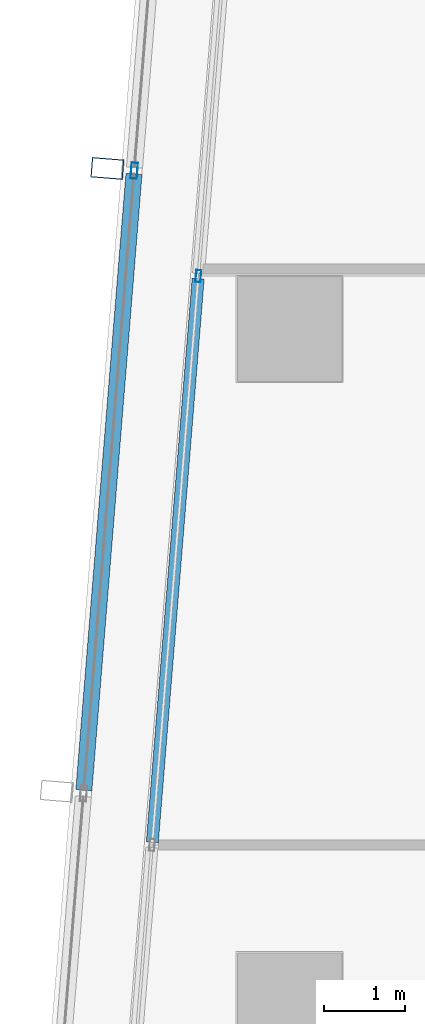
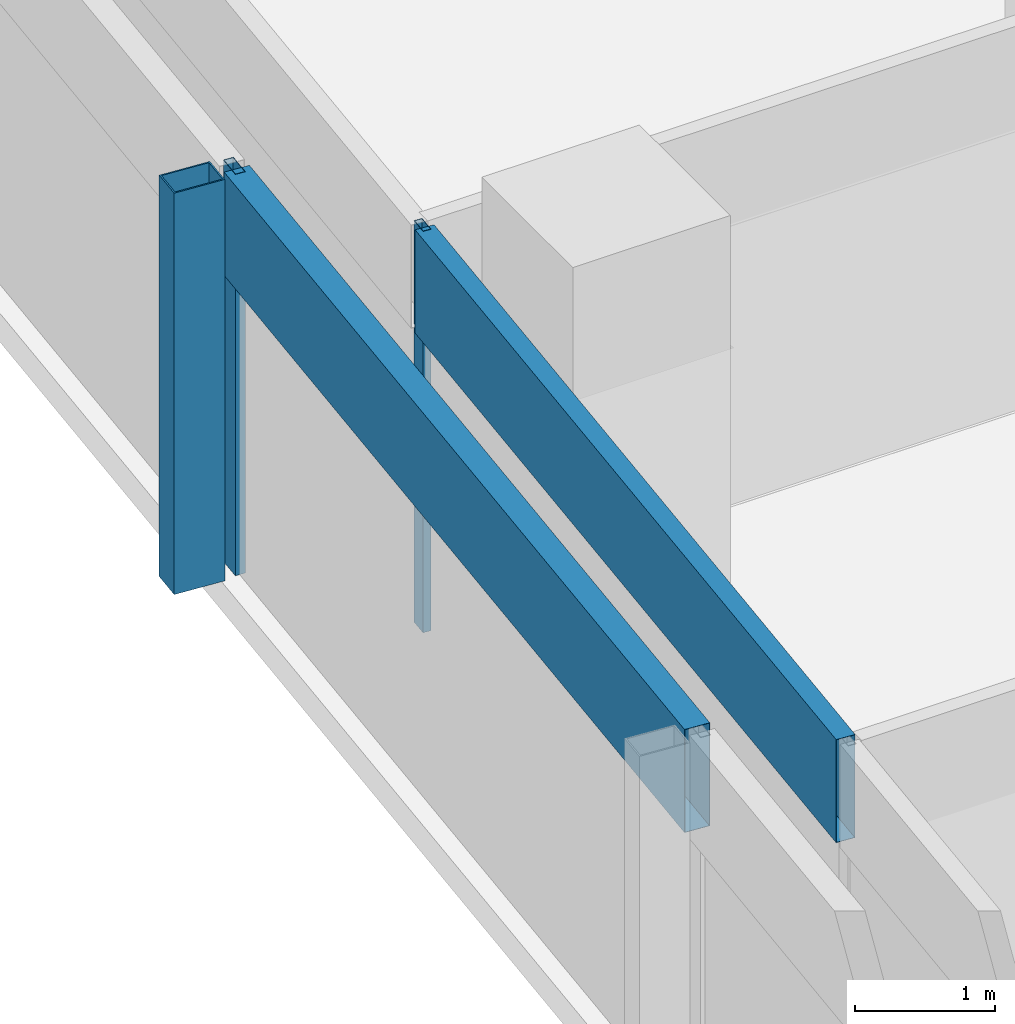
# One storey, part 8 of 26: 5 members, 2 elements without a shape of their own.
"""IFC4 building model written with IfcOpenShell, lengths in metres."""

from ifc_helpers import new_model, si_unit, direction, frame, origin, origin_2d, place, context, subcontext, project, spatial, hollow_rectangle, extrude, material, material_profile, profile_set, type_object, element, aggregate, save


model = new_model("IFC4")

# Units and contexts
model_context = context("Model", 3, precision=1e-05, world=origin(), true_north=direction((0.0, 1.0)))
body_context = subcontext(model_context, "Body", "Model", "MODEL_VIEW")
ifc_project = project(units=[si_unit("LENGTHUNIT", "METRE"), si_unit("AREAUNIT", "SQUARE_METRE"), si_unit("VOLUMEUNIT", "CUBIC_METRE"), si_unit("PLANEANGLEUNIT", "RADIAN"), si_unit("MASSUNIT", "GRAM", prefix="KILO")], contexts=[model_context])

# Site, building, storey
site_placement = place(None, origin())
site = spatial("IfcSite", under=ifc_project, at=site_placement, CompositionType="ELEMENT")
building_placement = place(site_placement, origin())
building = spatial("IfcBuilding", under=site, at=building_placement, Name="Rekha Terrace Tower", CompositionType="ELEMENT")
storey_placement = place(building_placement, frame((0.0, 0.0, 283.85009765625)))
storey = spatial("IfcBuildingStorey", under=building, at=storey_placement, Name="L72", CompositionType="ELEMENT", Elevation=283.85009765625)

# Curtain wall, member
ifc_material_1 = material(Name="Aluminium framing", Category="aluminium")
curtain_wall_type_1 = type_object("IfcCurtainWallType", Name="CW2 double skin outer glazing", PredefinedType="USERDEFINED", material=ifc_material_1)
curtain_wall_1_placement = place(storey_placement, origin())
curtain_wall_1 = element("IfcCurtainWall", 1, at=curtain_wall_1_placement, inside=storey, type_object=curtain_wall_type_1, Name="CW2 double skin outer glazing", ObjectType="DOUBLE SKIN OUTER GLAZING", PredefinedType="USERDEFINED")
ifc_material_2 = material(Name="Steel S355 with fluorocarbon finish", Category="steel")
ifc_material_profile_1 = material_profile(ifc_material_2, hollow_rectangle(XDim=0.25, YDim=0.39990234375, WallThickness=0.012451171875, at=origin_2d()), Name="RHS400x250x12.5")
ifc_profile_set_1 = profile_set([ifc_material_profile_1], Name="Steel S355 with fluorocarbon finish")
member_type_1 = type_object("IfcMemberType", Name="BL1 facade blade RHS 400 x 250", PredefinedType="USERDEFINED", material=ifc_profile_set_1)
member_1_placement = place(storey_placement, frame((6.135498046875, 43.9931640625, 0.0), z_axis=(0.0, 0.0, 1.0), x_axis=(-0.081068747348, -0.996708512156, 0.0)))
member_1 = element("IfcMember", 2, at=member_1_placement, type_object=member_type_1, Name="Facade blade", ObjectType="FACADE BLADE", PredefinedType="USERDEFINED", context=body_context, shape_type="SweptSolid", body=[
    extrude(hollow_rectangle(XDim=0.25, YDim=0.39990234375, WallThickness=0.012451171875, at=origin_2d()), origin(), (0.0, 0.0, 1.0), 3.5),
])

# Curtain wall, members
curtain_wall_type_2 = type_object("IfcCurtainWallType", Name="CW1 double skin inner glazing", PredefinedType="USERDEFINED", material=ifc_material_1)
curtain_wall_2_placement = place(storey_placement, origin())
curtain_wall_2 = element("IfcCurtainWall", 3, at=curtain_wall_2_placement, inside=storey, type_object=curtain_wall_type_2, Name="CW1 double skin inner glazing", ObjectType="DOUBLE SKIN INNER GLAZING", PredefinedType="USERDEFINED")
ifc_material_3 = material(Name="Aluminium mullion section", Category="aluminium")
ifc_material_profile_2 = material_profile(ifc_material_3, hollow_rectangle(XDim=0.06494140625, YDim=0.14990234375, WallThickness=0.00390625, at=origin_2d()), Name="AL RHS 65x150")
ifc_profile_set_2 = profile_set([ifc_material_profile_2], Name="Aluminium mullion section")
member_type_2 = type_object("IfcMemberType", Name="CW1 mullion RHS 65 x 150", PredefinedType="MULLION", material=ifc_profile_set_2)
member_2_placement = place(storey_placement, frame((7.265625, 42.65625, 0.0), z_axis=(0.0, 0.0, 1.0), x_axis=(0.996708580524, -0.081067906781, 0.0)))
member_2 = element("IfcMember", 4, at=member_2_placement, type_object=member_type_2, Name="CW1 mullion 2", PredefinedType="MULLION", context=body_context, shape_type="SweptSolid", body=[
    extrude(hollow_rectangle(XDim=0.06494140625, YDim=0.14990234375, WallThickness=0.00390625, at=origin_2d()), origin(), (0.0, 0.0, 1.0), 3.5),
])
ifc_material_4 = material(Name="Insulated aluminium spandrel box", Category="aluminium")
ifc_material_profile_3 = material_profile(ifc_material_4, hollow_rectangle(XDim=0.14990234375, YDim=0.89990234375, WallThickness=0.0029296875, at=origin_2d()), Name="AL SPANDREL BOX 150x900")
ifc_profile_set_3 = profile_set([ifc_material_profile_3], Name="Insulated aluminium spandrel box")
member_type_3 = type_object("IfcMemberType", Name="CW1 spandrel transom 150 x 900", PredefinedType="USERDEFINED", material=ifc_profile_set_3)
member_3_placement = place(storey_placement, frame((7.26318359375, 42.623779296875, 3.0498046875), z_axis=(-0.081080883426, -0.996707524976, 0.0), x_axis=(0.996707524976, -0.081080883426, 0.0)))
member_3 = element("IfcMember", 5, at=member_3_placement, type_object=member_type_3, Name="CW1 spandrel transom 2", ObjectType="TRANSOM", PredefinedType="USERDEFINED", context=body_context, shape_type="SweptSolid", body=[
    extrude(hollow_rectangle(XDim=0.14990234375, YDim=0.89990234375, WallThickness=0.0029296875, at=origin_2d()), origin(), (0.0, 0.0, 1.0), 7.02490234375),
])
aggregate(curtain_wall_2, [member_2, member_3])

# Member
ifc_material_profile_4 = material_profile(ifc_material_3, hollow_rectangle(XDim=0.080078125, YDim=0.199951171875, WallThickness=0.00390625, at=origin_2d()), Name="AL RHS 80x200")
ifc_profile_set_4 = profile_set([ifc_material_profile_4], Name="Aluminium mullion section")
member_type_4 = type_object("IfcMemberType", Name="CW2 mullion RHS 80 x 200", PredefinedType="MULLION", material=ifc_profile_set_4)
member_4_placement = place(storey_placement, frame((6.46923828125, 43.9658203125, 0.0), z_axis=(0.0, 0.0, 1.0), x_axis=(0.996708580521, -0.081067906816, 0.0)))
member_4 = element("IfcMember", 6, at=member_4_placement, type_object=member_type_4, Name="CW2 mullion 2", PredefinedType="MULLION", context=body_context, shape_type="SweptSolid", body=[
    extrude(hollow_rectangle(XDim=0.080078125, YDim=0.199951171875, WallThickness=0.00390625, at=origin_2d()), origin(), (0.0, 0.0, 1.0), 3.5),
])

ifc_material_profile_5 = material_profile(ifc_material_4, hollow_rectangle(XDim=0.199951171875, YDim=0.89990234375, WallThickness=0.0029296875, at=origin_2d()), Name="AL SPANDREL BOX 200x900")
ifc_profile_set_5 = profile_set([ifc_material_profile_5], Name="Insulated aluminium spandrel box")
member_type_5 = type_object("IfcMemberType", Name="CW2 spandrel transom 200 x 900", PredefinedType="USERDEFINED", material=ifc_profile_set_5)
member_5_placement = place(storey_placement, frame((6.466064453125, 43.926025390625, 3.0498046875), z_axis=(-0.081082991857, -0.996707353455, 0.0), x_axis=(0.996707353455, -0.081082991857, 0.0)))
member_5 = element("IfcMember", 7, at=member_5_placement, type_object=member_type_5, Name="CW2 spandrel transom 2", ObjectType="TRANSOM", PredefinedType="USERDEFINED", context=body_context, shape_type="SweptSolid", body=[
    extrude(hollow_rectangle(XDim=0.199951171875, YDim=0.89990234375, WallThickness=0.0029296875, at=origin_2d()), origin(), (0.0, 0.0, 1.0), 7.68115234375),
])

aggregate(curtain_wall_1, [member_4, member_5, member_1])

save(model, "model.ifc")
